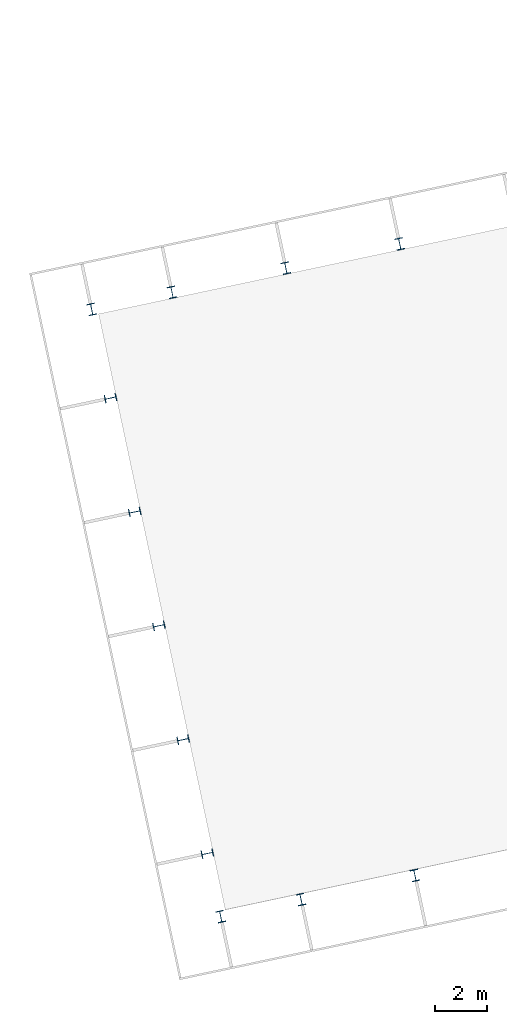
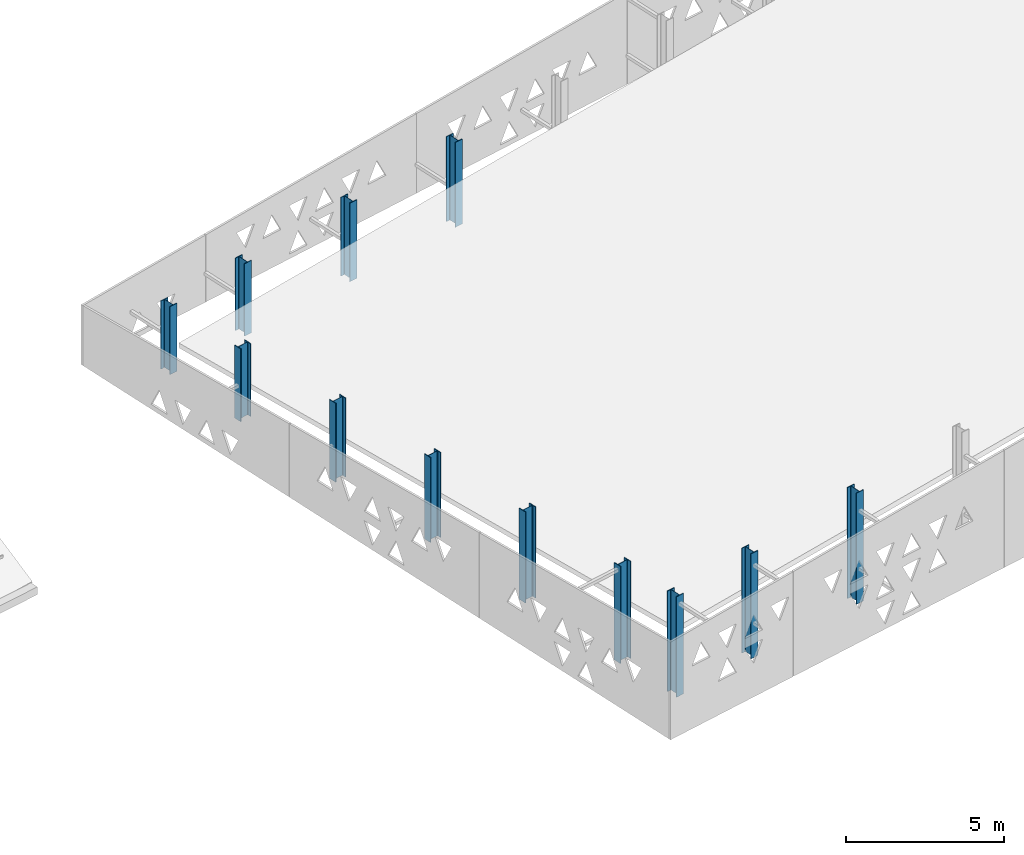
# One storey, part 1 of 41: 12 columns.
"""IFC4 building model written with IfcOpenShell, lengths in metres."""

import ifcopenshell
import ifcopenshell.guid

model = None  # the IFC model being written
_history = None  # IfcOwnerHistory: only IFC2X3 demands one
_inside = {}  # id of a spatial element -> (the spatial element, [elements in it])
_under = {}  # id of a project, library or spatial element -> (it, [spatial elements below it])
_declared = {}  # id of a project -> (the project, [libraries it declares])
_typed = {}  # id of a type object -> (the type object, [elements of that type])
_made_of = {}  # id of a material, layer set ... -> (it, [elements and type objects made of it])


def new_model(schema):
    """Start an empty IFC model of exactly this schema.

    Asked for "IFC4X3", IfcOpenShell would pick the latest addendum, in which some entities
    have other attributes; the version numbers below select the first issue.
    IFC2X3 requires an IfcOwnerHistory on every rooted entity: one is made here for all.
    """
    global model, _history
    if schema == "IFC4X3":
        model = ifcopenshell.file(schema_version=(4, 3, 0, 0))
    else:
        model = ifcopenshell.file(schema=schema)
    _inside.clear()
    _under.clear()
    _declared.clear()
    _typed.clear()
    _made_of.clear()
    _history = None
    if model.schema == "IFC2X3":
        org = make("IfcOrganization", Name="unknown")
        user = make(
            "IfcPersonAndOrganization",
            ThePerson=make("IfcPerson", FamilyName="unknown"),
            TheOrganization=org,
        )
        app = make(
            "IfcApplication",
            ApplicationDeveloper=org,
            Version="unknown",
            ApplicationFullName="unknown",
            ApplicationIdentifier="unknown",
        )
        _history = make(
            "IfcOwnerHistory",
            OwningUser=user,
            OwningApplication=app,
            ChangeAction="ADDED",
            CreationDate=0,
        )
    return model


def make(cls, **values):
    """One entity of the class cls with the attributes given. An attribute that is None is left unset."""
    return model.create_entity(
        cls, **{name: value for name, value in values.items() if value is not None}
    )


def rooted(cls, **values):
    """An entity with a GlobalId (a new one), such as an element, a storey or a relation."""
    return make(cls, GlobalId=ifcopenshell.guid.new(), OwnerHistory=_history, **values)


def si_unit(unit_type, name, prefix=None):
    """IfcSIUnit, for example si_unit("LENGTHUNIT", "METRE", prefix="MILLI")."""
    return make("IfcSIUnit", UnitType=unit_type, Prefix=prefix, Name=name)


def assignment(units):
    """IfcUnitAssignment: the units of a project."""
    return None if units is None else make("IfcUnitAssignment", Units=units)


def point(xyz):
    """IfcCartesianPoint."""
    return None if xyz is None else make("IfcCartesianPoint", Coordinates=xyz)


def direction(xyz):
    """IfcDirection."""
    return None if xyz is None else make("IfcDirection", DirectionRatios=xyz)


def frame(location, z_axis=None, x_axis=None):
    """IfcAxis2Placement3D, a coordinate frame: its origin and axes. An axis left out is left unset."""
    return make(
        "IfcAxis2Placement3D",
        Location=point(location),
        Axis=direction(z_axis),
        RefDirection=direction(x_axis),
    )


def frame_2d(location, x_axis=None):
    """IfcAxis2Placement2D, a coordinate frame in the plane: its origin and x axis."""
    return make(
        "IfcAxis2Placement2D", Location=point(location), RefDirection=direction(x_axis)
    )


def origin():
    """The frame at (0, 0, 0) with its axes left unset."""
    return frame((0.0, 0.0, 0.0))


def origin_2d():
    """The frame at (0, 0) in the plane with its x axis left unset."""
    return frame_2d((0.0, 0.0))


def place(relative_to, where):
    """IfcLocalPlacement: puts the frame where relative to a parent placement (None: the world)."""
    return make(
        "IfcLocalPlacement", PlacementRelTo=relative_to, RelativePlacement=where
    )


def context(
    kind, dimensions, precision=None, world=None, true_north=None, identifier=None
):
    """IfcGeometricRepresentationContext, for example the 3D "Model" context."""
    return make(
        "IfcGeometricRepresentationContext",
        ContextIdentifier=identifier,
        ContextType=kind,
        CoordinateSpaceDimension=dimensions,
        Precision=precision,
        WorldCoordinateSystem=world,
        TrueNorth=true_north,
    )


def subcontext(parent, identifier, kind, view, scale=None):
    """IfcGeometricRepresentationSubContext, for example "Body" below "Model"."""
    return make(
        "IfcGeometricRepresentationSubContext",
        ContextIdentifier=identifier,
        ContextType=kind,
        ParentContext=parent,
        TargetScale=scale,
        TargetView=view,
    )


def project(units=None, contexts=None):
    """IfcProject with its units and contexts."""
    return rooted(
        "IfcProject",
        Name="project",
        RepresentationContexts=contexts,
        UnitsInContext=assignment(units),
    )


def spatial(cls, under=None, at=None, **own):
    """A site, building, storey or space (cls), placed at a placement, below another one or the project."""
    s = rooted(cls, ObjectPlacement=at, **own)
    if under is not None:
        _under.setdefault(under.id(), (under, []))[1].append(s)
    return s


def profile(cls, at=None, kind="AREA", **sizes):
    """A parametric profile (cls). Its sizes go by their IFC names, for example OverallWidth=200.0."""
    return make(cls, ProfileType=kind, Position=at, **sizes)


def i_section(**sizes):
    """IfcIShapeProfileDef."""
    return profile("IfcIShapeProfileDef", **sizes)


def extrude(swept, where, along, depth):
    """IfcExtrudedAreaSolid: the profile swept, set in the frame where, extruded along a direction by depth."""
    return make(
        "IfcExtrudedAreaSolid",
        SweptArea=swept,
        Position=where,
        ExtrudedDirection=direction(along),
        Depth=depth,
    )


def shape(context_of_items, identifier, shape_type, items):
    """IfcShapeRepresentation: the items that make up one representation, for example the "Body"."""
    return make(
        "IfcShapeRepresentation",
        ContextOfItems=context_of_items,
        RepresentationIdentifier=identifier,
        RepresentationType=shape_type,
        Items=items,
    )


def material(Name=None, Category=None):
    """IfcMaterial."""
    return make("IfcMaterial", Name=Name, Category=Category)


def material_profile(
    of_material, cross_section, Name=None, Category=None, Priority=None
):
    """IfcMaterialProfile: a cross section and its material."""
    return make(
        "IfcMaterialProfile",
        Name=Name,
        Material=of_material,
        Profile=cross_section,
        Priority=Priority,
        Category=Category,
    )


def profile_set(profiles, Name=None, composite=None):
    """IfcMaterialProfileSet."""
    return make(
        "IfcMaterialProfileSet",
        Name=Name,
        MaterialProfiles=profiles,
        CompositeProfile=composite,
    )


def made_of(thing, what):
    """Note that an element or type object is made of a material, layer set ...; save() writes the relation."""
    if what is not None:
        _made_of.setdefault(what.id(), (what, []))[1].append(thing)
    return thing


def type_object(cls, material=None, **own):
    """A type object (cls), such as IfcWallType, which elements share."""
    return made_of(rooted(cls, **own), material)


def element(
    cls,
    number,
    at=None,
    inside=None,
    cuts=None,
    type_object=None,
    material=None,
    context=None,
    identifier="Body",
    shape_type=None,
    held_by="IfcProductDefinitionShape",
    body=None,
    shapes=None,
    **own,
):
    """One element of the class cls, such as IfcWall. Its Tag is "e" and its number.

    at: its placement. inside: the storey or other place that contains it. cuts: it is an
    opening in that element (IfcRelVoidsElement). A single representation is given by context,
    identifier, shape_type and body (its items); several are given by shapes. held_by: the class
    of the entity that holds the representations. save() writes the other relations.
    """
    e = rooted(cls, Tag="e%d" % number, ObjectPlacement=at, **own)
    if body is not None:
        shapes = [shape(context, identifier, shape_type, body)]
    if shapes is not None:
        e.Representation = make(held_by, Representations=shapes)
    if inside is not None:
        _inside.setdefault(inside.id(), (inside, []))[1].append(e)
    if cuts is not None:
        rooted(
            "IfcRelVoidsElement", RelatingBuildingElement=cuts, RelatedOpeningElement=e
        )
    if type_object is not None:
        _typed.setdefault(type_object.id(), (type_object, []))[1].append(e)
    return made_of(e, material)


def aggregate(whole, parts):
    """IfcRelAggregates: a whole, such as a stair, and the parts it consists of."""
    return rooted("IfcRelAggregates", RelatingObject=whole, RelatedObjects=parts)


def save(model, path):
    """Write the relations noted so far, then the file.

    IfcRelAggregates (storeys below a building ...), IfcRelContainedInSpatialStructure (elements
    in a storey), IfcRelDefinesByType, IfcRelAssociatesMaterial and IfcRelDeclares: one each for
    every whole, place, type object, material and project.
    """
    for whole, parts in _under.values():
        aggregate(whole, parts)
    for where, things in _inside.values():
        rooted(
            "IfcRelContainedInSpatialStructure",
            RelatedElements=things,
            RelatingStructure=where,
        )
    for kind, things in _typed.values():
        rooted("IfcRelDefinesByType", RelatedObjects=things, RelatingType=kind)
    for what, things in _made_of.values():
        rooted("IfcRelAssociatesMaterial", RelatedObjects=things, RelatingMaterial=what)
    for by, libraries in _declared.values():
        rooted("IfcRelDeclares", RelatingContext=by, RelatedDefinitions=libraries)
    model.write(path)


model = new_model("IFC4")

# Units and contexts
model_context = context("Model", 3, precision=1e-05, world=origin(), true_north=direction((0.0, 1.0)))
body_context = subcontext(model_context, "Body", "Model", "MODEL_VIEW")
ifc_project = project(units=[si_unit("LENGTHUNIT", "METRE"), si_unit("AREAUNIT", "SQUARE_METRE"), si_unit("VOLUMEUNIT", "CUBIC_METRE"), si_unit("PLANEANGLEUNIT", "RADIAN"), si_unit("MASSUNIT", "GRAM", prefix="KILO")], contexts=[model_context])

# Site, building, storey
site_placement = place(None, origin())
site = spatial("IfcSite", under=ifc_project, at=site_placement, CompositionType="ELEMENT")
building_placement = place(site_placement, origin())
building = spatial("IfcBuilding", under=site, at=building_placement, Name="Okhra Congress Centre", CompositionType="ELEMENT")
storey_placement = place(building_placement, frame((0.0, 0.0, 21.60009765625)))
storey = spatial("IfcBuildingStorey", under=building, at=storey_placement, Name="ROOF", CompositionType="ELEMENT", Elevation=21.60009765625)

# Columns
ifc_material = material(Name="Steel S355J2", Category="steel")
ifc_material_profile = material_profile(ifc_material, i_section(OverallWidth=0.300048828125, OverallDepth=0.449951171875, WebThickness=0.013916015625, FlangeThickness=0.02587890625, FilletRadius=0.027099609375, at=origin_2d()), Name="HE 450 B")
ifc_profile_set = profile_set([ifc_material_profile], Name="Steel S355J2")
column_type = type_object("IfcColumnType", Name="Steel post HE 450 B", PredefinedType="COLUMN", material=ifc_profile_set)
column_1_placement = place(storey_placement, frame((62.30712890625, 27.084716796875, 0.0), z_axis=(0.0, 0.0, 1.0), x_axis=(0.978147600734, 0.207911690818, 0.0)))
element("IfcColumn", 1, at=column_1_placement, inside=storey, type_object=column_type, Name="Screen upstand post S1", PredefinedType="COLUMN", context=body_context, shape_type="SweptSolid", body=[
    extrude(i_section(OverallWidth=0.300048828125, OverallDepth=0.449951171875, WebThickness=0.013916015625, FlangeThickness=0.02587890625, FilletRadius=0.027099609375, at=origin_2d()), origin(), (0.0, 0.0, 1.0), 3.890869140625),
])
column_2_placement = place(storey_placement, frame((65.41259765625, 27.744873046875, 0.0), z_axis=(0.0, 0.0, 1.0), x_axis=(0.978147600734, 0.207911690818, 0.0)))
element("IfcColumn", 2, at=column_2_placement, inside=storey, type_object=column_type, Name="Screen upstand post S2", PredefinedType="COLUMN", context=body_context, shape_type="SweptSolid", body=[
    extrude(i_section(OverallWidth=0.300048828125, OverallDepth=0.449951171875, WebThickness=0.013916015625, FlangeThickness=0.02587890625, FilletRadius=0.027099609375, at=origin_2d()), origin(), (0.0, 0.0, 1.0), 4.060791015625),
])
column_3_placement = place(storey_placement, frame((69.814208984375, 28.680419921875, 0.0), z_axis=(0.0, 0.0, 1.0), x_axis=(0.978147600734, 0.207911690818, 0.0)))
element("IfcColumn", 3, at=column_3_placement, inside=storey, type_object=column_type, Name="Screen upstand post S3", PredefinedType="COLUMN", context=body_context, shape_type="SweptSolid", body=[
    extrude(i_section(OverallWidth=0.300048828125, OverallDepth=0.449951171875, WebThickness=0.013916015625, FlangeThickness=0.02587890625, FilletRadius=0.027099609375, at=origin_2d()), origin(), (0.0, 0.0, 1.0), 4.301513671875),
])
column_4_placement = place(storey_placement, frame((57.317138671875, 50.560302734375, 0.0), z_axis=(0.0, 0.0, 1.0), x_axis=(0.978147600734, 0.207911690818, 0.0)))
element("IfcColumn", 4, at=column_4_placement, inside=storey, type_object=column_type, Name="Screen upstand post N1", PredefinedType="COLUMN", context=body_context, shape_type="SweptSolid", body=[
    extrude(i_section(OverallWidth=0.300048828125, OverallDepth=0.449951171875, WebThickness=0.013916015625, FlangeThickness=0.02587890625, FilletRadius=0.027099609375, at=origin_2d()), origin(), (0.0, 0.0, 1.0), 2.633056640625),
])
column_5_placement = place(storey_placement, frame((60.4228515625, 51.220458984375, 0.0), z_axis=(0.0, 0.0, 1.0), x_axis=(0.978147600734, 0.207911690818, 0.0)))
element("IfcColumn", 5, at=column_5_placement, inside=storey, type_object=column_type, Name="Screen upstand post N2", PredefinedType="COLUMN", context=body_context, shape_type="SweptSolid", body=[
    extrude(i_section(OverallWidth=0.300048828125, OverallDepth=0.449951171875, WebThickness=0.013916015625, FlangeThickness=0.02587890625, FilletRadius=0.027099609375, at=origin_2d()), origin(), (0.0, 0.0, 1.0), 2.802978515625),
])
column_6_placement = place(storey_placement, frame((64.824462890625, 52.156005859375, 0.0), z_axis=(0.0, 0.0, 1.0), x_axis=(0.978147600734, 0.207911690818, 0.0)))
element("IfcColumn", 6, at=column_6_placement, inside=storey, type_object=column_type, Name="Screen upstand post N3", PredefinedType="COLUMN", context=body_context, shape_type="SweptSolid", body=[
    extrude(i_section(OverallWidth=0.300048828125, OverallDepth=0.449951171875, WebThickness=0.013916015625, FlangeThickness=0.02587890625, FilletRadius=0.027099609375, at=origin_2d()), origin(), (0.0, 0.0, 1.0), 3.043701171875),
])
column_7_placement = place(storey_placement, frame((69.22607421875, 53.091552734375, 0.0), z_axis=(0.0, 0.0, 1.0), x_axis=(0.978147600734, 0.207911690818, 0.0)))
element("IfcColumn", 7, at=column_7_placement, inside=storey, type_object=column_type, Name="Screen upstand post N4", PredefinedType="COLUMN", context=body_context, shape_type="SweptSolid", body=[
    extrude(i_section(OverallWidth=0.300048828125, OverallDepth=0.449951171875, WebThickness=0.013916015625, FlangeThickness=0.02587890625, FilletRadius=0.027099609375, at=origin_2d()), origin(), (0.0, 0.0, 1.0), 3.284423828125),
])
column_8_placement = place(storey_placement, frame((61.788330078125, 29.525146484375, 0.0), z_axis=(0.0, 0.0, 1.0), x_axis=(-0.207911690818, 0.978147600734, 0.0)))
element("IfcColumn", 8, at=column_8_placement, inside=storey, type_object=column_type, Name="Screen upstand post W1", PredefinedType="COLUMN", context=body_context, shape_type="SweptSolid", body=[
    extrude(i_section(OverallWidth=0.300048828125, OverallDepth=0.449951171875, WebThickness=0.013916015625, FlangeThickness=0.02587890625, FilletRadius=0.027099609375, at=origin_2d()), origin(), (0.0, 0.0, 1.0), 3.760009765625),
])
column_9_placement = place(storey_placement, frame((60.852783203125, 33.9267578125, 0.0), z_axis=(0.0, 0.0, 1.0), x_axis=(-0.207911690818, 0.978147600734, 0.0)))
element("IfcColumn", 9, at=column_9_placement, inside=storey, type_object=column_type, Name="Screen upstand post W2", PredefinedType="COLUMN", context=body_context, shape_type="SweptSolid", body=[
    extrude(i_section(OverallWidth=0.300048828125, OverallDepth=0.449951171875, WebThickness=0.013916015625, FlangeThickness=0.02587890625, FilletRadius=0.027099609375, at=origin_2d()), origin(), (0.0, 0.0, 1.0), 3.524169921875),
])
column_10_placement = place(storey_placement, frame((59.9169921875, 38.32861328125, 0.0), z_axis=(0.0, 0.0, 1.0), x_axis=(-0.207911690818, 0.978147600734, 0.0)))
element("IfcColumn", 10, at=column_10_placement, inside=storey, type_object=column_type, Name="Screen upstand post W3", PredefinedType="COLUMN", context=body_context, shape_type="SweptSolid", body=[
    extrude(i_section(OverallWidth=0.300048828125, OverallDepth=0.449951171875, WebThickness=0.013916015625, FlangeThickness=0.02587890625, FilletRadius=0.027099609375, at=origin_2d()), origin(), (0.0, 0.0, 1.0), 3.288330078125),
])
column_11_placement = place(storey_placement, frame((58.9814453125, 42.730224609375, 0.0), z_axis=(0.0, 0.0, 1.0), x_axis=(-0.207911690818, 0.978147600734, 0.0)))
element("IfcColumn", 11, at=column_11_placement, inside=storey, type_object=column_type, Name="Screen upstand post W4", PredefinedType="COLUMN", context=body_context, shape_type="SweptSolid", body=[
    extrude(i_section(OverallWidth=0.300048828125, OverallDepth=0.449951171875, WebThickness=0.013916015625, FlangeThickness=0.02587890625, FilletRadius=0.027099609375, at=origin_2d()), origin(), (0.0, 0.0, 1.0), 3.052490234375),
])
column_12_placement = place(storey_placement, frame((58.0458984375, 47.1318359375, 0.0), z_axis=(0.0, 0.0, 1.0), x_axis=(-0.207911690818, 0.978147600734, 0.0)))
element("IfcColumn", 12, at=column_12_placement, inside=storey, type_object=column_type, Name="Screen upstand post W5", PredefinedType="COLUMN", context=body_context, shape_type="SweptSolid", body=[
    extrude(i_section(OverallWidth=0.300048828125, OverallDepth=0.449951171875, WebThickness=0.013916015625, FlangeThickness=0.02587890625, FilletRadius=0.027099609375, at=origin_2d()), origin(), (0.0, 0.0, 1.0), 2.816650390625),
])

save(model, "model.ifc")
